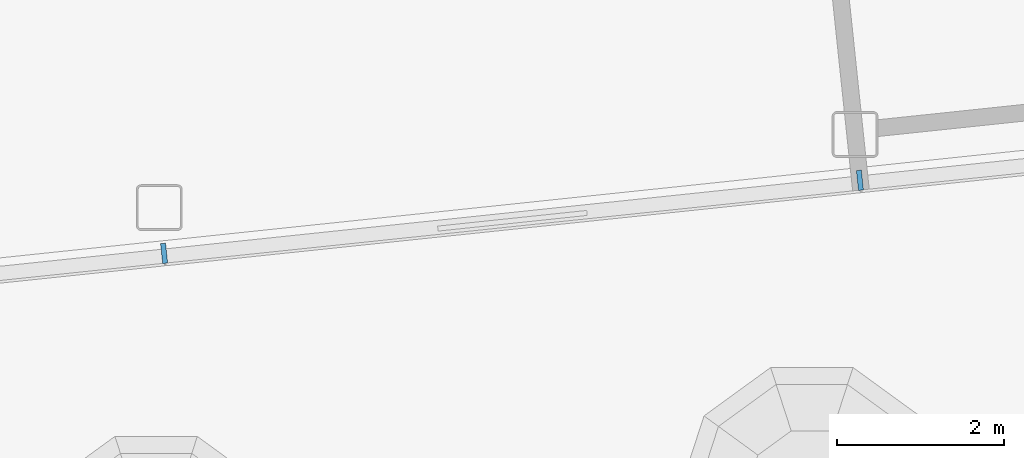
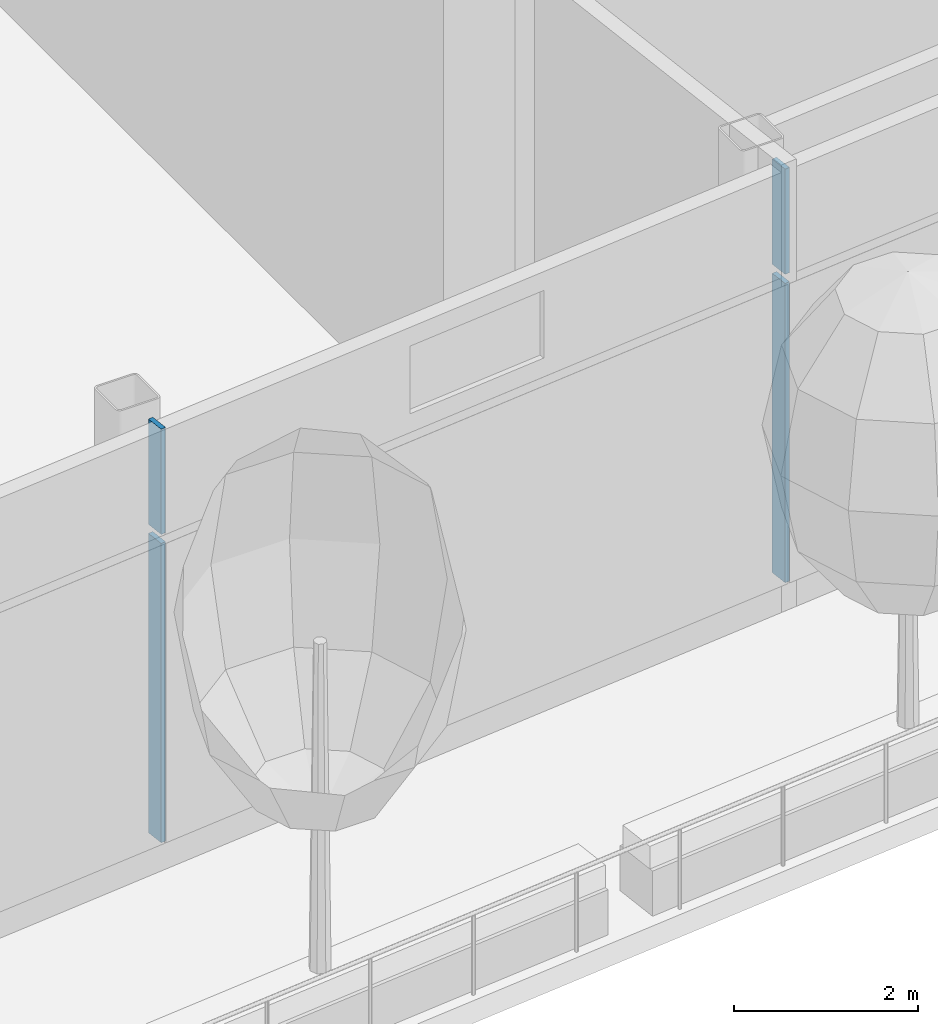
# One storey, part 6 of 42: 4 members, 1 element without a shape of its own.
"""IFC4 building model written with IfcOpenShell, lengths in metres."""

from ifc_helpers import new_model, si_unit, direction, frame, origin, origin_2d, place, context, subcontext, project, spatial, rectangle, extrude, material, layer, layer_set, material_profile, profile_set, type_object, element, aggregate, save


model = new_model("IFC4")

# Units and contexts
model_context = context("Model", 3, precision=1e-05, world=origin(), true_north=direction((0.0, 1.0)))
body_context = subcontext(model_context, "Body", "Model", "MODEL_VIEW")
ifc_project = project(units=[si_unit("LENGTHUNIT", "METRE"), si_unit("AREAUNIT", "SQUARE_METRE"), si_unit("VOLUMEUNIT", "CUBIC_METRE"), si_unit("PLANEANGLEUNIT", "RADIAN"), si_unit("MASSUNIT", "GRAM", prefix="KILO")], contexts=[model_context])

# Site, building, storey
site_placement = place(None, origin())
site = spatial("IfcSite", under=ifc_project, at=site_placement, CompositionType="ELEMENT")
building_placement = place(site_placement, origin())
building = spatial("IfcBuilding", under=site, at=building_placement, Name="Hakoniwa Tower and Hamabe Station Hall", CompositionType="ELEMENT")
storey_placement = place(building_placement, frame((0.0, 0.0, 232.60009765625)))
storey = spatial("IfcBuildingStorey", under=building, at=storey_placement, Name="L66", CompositionType="ELEMENT", Elevation=232.60009765625)

# Curtain wall, members
ifc_material_1 = material(Name="Dark low-e laminated glass", Category="glass")
ifc_layer = layer(ifc_material_1, 0.199951171875)
ifc_layer_set = layer_set([ifc_layer], Name="CW-2 SKY GARDEN")
curtain_wall_type = type_object("IfcCurtainWallType", Name="CW-2 SKY GARDEN", PredefinedType="NOTDEFINED", material=ifc_layer_set)
curtain_wall_placement = place(storey_placement, origin())
curtain_wall = element("IfcCurtainWall", 1, at=curtain_wall_placement, inside=storey, type_object=curtain_wall_type, Name="CW-2 curtain wall", PredefinedType="NOTDEFINED")
ifc_material_2 = material(Name="Aluminium 6063-T5 black anodised", Category="aluminium")
ifc_material_profile = material_profile(ifc_material_2, rectangle(XDim=0.06005859375, YDim=0.239990234375, at=origin_2d()), Name="CW-2 MULLION 60X240")
ifc_profile_set = profile_set([ifc_material_profile], Name="Aluminium 6063-T5 black anodised")
member_type = type_object("IfcMemberType", Name="CW-2 MULLION 60X240", PredefinedType="MULLION", material=ifc_profile_set)
member_1_placement = place(storey_placement, frame((10.14697265625, -13.679931640625, 0.349853515625), z_axis=(0.0, 0.0, 1.0), x_axis=(0.994521895272, 0.104528464188, 0.0)))
member_1 = element("IfcMember", 2, at=member_1_placement, type_object=member_type, Name="CW-2 mullion", PredefinedType="MULLION", context=body_context, shape_type="SweptSolid", body=[
    extrude(rectangle(XDim=0.06005859375, YDim=0.239990234375, at=origin_2d()), origin(), (0.0, 0.0, 1.0), 3.97998046875),
])
member_2_placement = place(storey_placement, frame((10.14697265625, -13.679931640625, 4.449951171875), z_axis=(0.0, 0.0, 1.0), x_axis=(0.994521895272, 0.104528464188, 0.0)))
member_2 = element("IfcMember", 3, at=member_2_placement, type_object=member_type, Name="CW-2 mullion", PredefinedType="MULLION", context=body_context, shape_type="SweptSolid", body=[
    extrude(rectangle(XDim=0.06005859375, YDim=0.239990234375, at=origin_2d()), origin(), (0.0, 0.0, 1.0), 1.39990234375),
])
member_3_placement = place(storey_placement, frame((18.500732421875, -12.802001953125, 0.349853515625), z_axis=(0.0, 0.0, 1.0), x_axis=(0.994521895272, 0.104528464188, 0.0)))
member_3 = element("IfcMember", 4, at=member_3_placement, type_object=member_type, Name="CW-2 mullion", PredefinedType="MULLION", context=body_context, shape_type="SweptSolid", body=[
    extrude(rectangle(XDim=0.06005859375, YDim=0.239990234375, at=origin_2d()), origin(), (0.0, 0.0, 1.0), 3.97998046875),
])
member_4_placement = place(storey_placement, frame((18.500732421875, -12.802001953125, 4.449951171875), z_axis=(0.0, 0.0, 1.0), x_axis=(0.994521895272, 0.104528464188, 0.0)))
member_4 = element("IfcMember", 5, at=member_4_placement, type_object=member_type, Name="CW-2 mullion", PredefinedType="MULLION", context=body_context, shape_type="SweptSolid", body=[
    extrude(rectangle(XDim=0.06005859375, YDim=0.239990234375, at=origin_2d()), origin(), (0.0, 0.0, 1.0), 1.39990234375),
])
aggregate(curtain_wall, [member_1, member_2, member_3, member_4])

save(model, "model.ifc")
